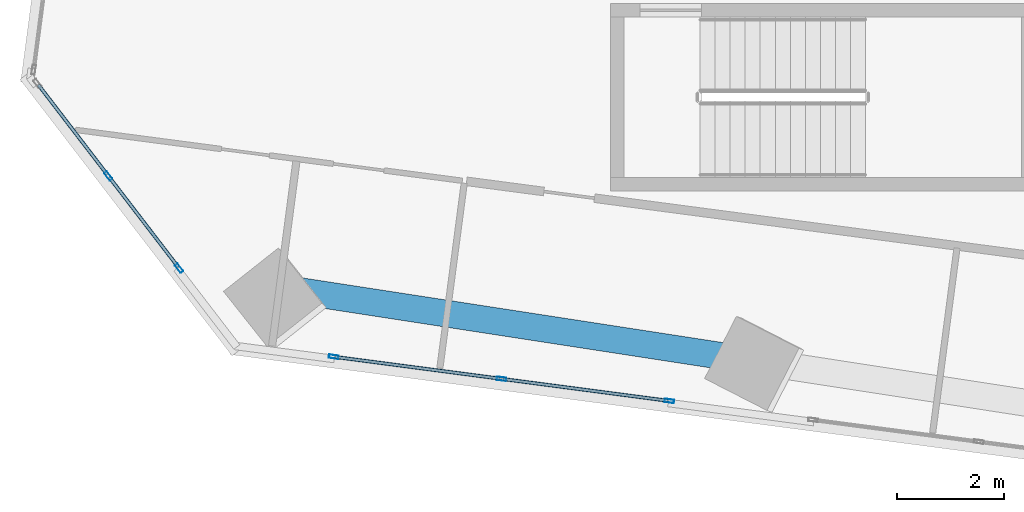
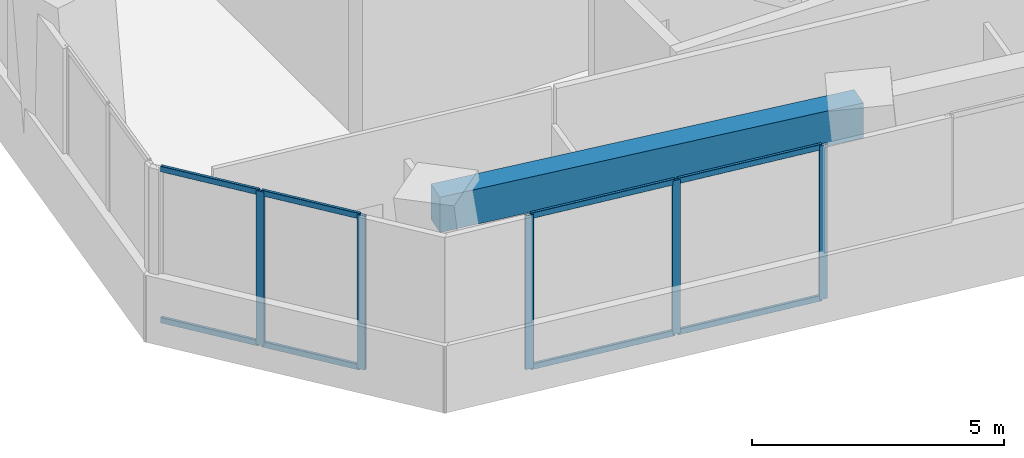
# One storey, part 2 of 24: 13 members, 1 beam, 2 elements without a shape of their own.
"""IFC4 building model written with IfcOpenShell, lengths in metres."""

from ifc_helpers import new_model, si_unit, direction, frame, origin, origin_2d, place, context, subcontext, project, spatial, rectangle, hollow_rectangle, extrude, source, transform, mapped, material, material_profile, profile_set, type_object, element, aggregate, save


model = new_model("IFC4")

# Units and contexts
model_context = context("Model", 3, precision=1e-05, world=origin(), true_north=direction((0.0, 1.0)))
body_context = subcontext(model_context, "Body", "Model", "MODEL_VIEW")
ifc_project = project(units=[si_unit("LENGTHUNIT", "METRE"), si_unit("AREAUNIT", "SQUARE_METRE"), si_unit("VOLUMEUNIT", "CUBIC_METRE"), si_unit("PLANEANGLEUNIT", "RADIAN"), si_unit("MASSUNIT", "GRAM", prefix="KILO")], contexts=[model_context])

# Site, building, storey
site_placement = place(None, origin())
site = spatial("IfcSite", under=ifc_project, at=site_placement, CompositionType="ELEMENT")
building_placement = place(site_placement, origin())
building = spatial("IfcBuilding", under=site, at=building_placement, Name="Torre Montelarca", CompositionType="ELEMENT")
storey_placement = place(building_placement, frame((0.0, 0.0, 66.39990234375)))
storey = spatial("IfcBuildingStorey", under=building, at=storey_placement, Name="L14", CompositionType="ELEMENT", Elevation=66.39990234375)

# Beam
ifc_material_1 = material(Name="Concrete C55/67", Category="concrete")
ifc_material_profile_1 = material_profile(ifc_material_1, rectangle(XDim=0.5, YDim=0.85009765625, at=origin_2d()), Name="RCB500X850", Category="concrete")
ifc_profile_set_1 = profile_set([ifc_material_profile_1], Name="Concrete C55/67")
beam_type = type_object("IfcBeamType", Name="BM-SP-RC850-EXT", PredefinedType="SPANDREL", material=ifc_profile_set_1)
shared_shape_1 = source(origin(), body_context, "Body", "SweptSolid", [
    extrude(rectangle(XDim=0.5, YDim=0.85009765625, at=origin_2d()), origin(), (0.0, 0.0, 1.0), 9.0),
])
beam_placement = place(storey_placement, frame((6.529052734375, 16.901611328125, 3.53515625), z_axis=(0.988365111025, -0.152099991149, 0.0), x_axis=(0.152099991149, 0.988365111025, 0.0)))
element("IfcBeam", 1, at=beam_placement, inside=storey, type_object=beam_type, Name="L14 Grid Girder X 9.0-18.0 at Y=14.8", PredefinedType="SPANDREL", context=body_context, shape_type="MappedRepresentation", body=[
    mapped(shared_shape_1, transform((0.0, 0.0, 0.0), scale=1.0)),
])

# Curtain wall, members
ifc_material_2 = material(Name="Insulated low-E laminated glass", Category="glass")
curtain_wall_type = type_object("IfcCurtainWallType", Name="CW-SYS-Z1", PredefinedType="USERDEFINED", material=ifc_material_2)
curtain_wall_1_placement = place(storey_placement, origin())
curtain_wall_1 = element("IfcCurtainWall", 2, at=curtain_wall_1_placement, inside=storey, type_object=curtain_wall_type, Name="L14 Curtain Wall Run CW-T3-L14-E01-B1", ObjectType="UNITISED GLAZING", PredefinedType="USERDEFINED")
ifc_material_3 = material(Name="Anodised aluminium AA 6063-T6", Category="aluminium")
ifc_material_profile_2 = material_profile(ifc_material_3, hollow_rectangle(XDim=0.06494140625, YDim=0.139892578125, WallThickness=0.00390625, InnerFilletRadius=0.00390625, OuterFilletRadius=0.008056640625, at=origin_2d()), Name="ALU65X140X4", Category="aluminium")
ifc_profile_set_2 = profile_set([ifc_material_profile_2], Name="Anodised aluminium AA 6063-T6")
member_type_1 = type_object("IfcMemberType", Name="CWT-ALU140", PredefinedType="USERDEFINED", material=ifc_profile_set_2)
shared_shape_2 = source(origin(), body_context, "Body", "SweptSolid", [
    extrude(hollow_rectangle(XDim=0.06494140625, YDim=0.139892578125, WallThickness=0.00390625, InnerFilletRadius=0.00390625, OuterFilletRadius=0.008056640625, at=origin_2d()), origin(), (0.0, 0.0, 1.0), 3.085205078125),
])
member_1_placement = place(storey_placement, frame((7.93310546875, 15.56005859375, 0.03271484375), z_axis=(0.991449716135, -0.13048931135, 0.0), x_axis=(0.13048931135, 0.991449716135, 0.0)))
member_1 = element("IfcMember", 3, at=member_1_placement, type_object=member_type_1, Name="CW transom 1.1", ObjectType="TRANSOM", PredefinedType="USERDEFINED", context=body_context, shape_type="MappedRepresentation", body=[
    mapped(shared_shape_2, transform((0.0, 0.0, 0.0), scale=1.0)),
])
member_2_placement = place(storey_placement, frame((7.93310546875, 15.56005859375, 3.6875), z_axis=(0.991449716135, -0.13048931135, 0.0), x_axis=(0.13048931135, 0.991449716135, 0.0)))
member_2 = element("IfcMember", 4, at=member_2_placement, type_object=member_type_1, Name="CW transom 1.2", ObjectType="TRANSOM", PredefinedType="USERDEFINED", context=body_context, shape_type="MappedRepresentation", body=[
    mapped(shared_shape_2, transform((0.0, 0.0, 0.0), scale=1.0)),
])
member_3_placement = place(storey_placement, frame((11.056396484375, 15.14892578125, 0.03271484375), z_axis=(0.991449716135, -0.13048931135, 0.0), x_axis=(0.13048931135, 0.991449716135, 0.0)))
member_3 = element("IfcMember", 5, at=member_3_placement, type_object=member_type_1, Name="CW transom 2.1", ObjectType="TRANSOM", PredefinedType="USERDEFINED", context=body_context, shape_type="MappedRepresentation", body=[
    mapped(shared_shape_2, transform((0.0, 0.0, 0.0), scale=1.0)),
])
member_4_placement = place(storey_placement, frame((11.056396484375, 15.14892578125, 3.6875), z_axis=(0.991449716135, -0.13048931135, 0.0), x_axis=(0.13048931135, 0.991449716135, 0.0)))
member_4 = element("IfcMember", 6, at=member_4_placement, type_object=member_type_1, Name="CW transom 2.2", ObjectType="TRANSOM", PredefinedType="USERDEFINED", context=body_context, shape_type="MappedRepresentation", body=[
    mapped(shared_shape_2, transform((0.0, 0.0, 0.0), scale=1.0)),
])

curtain_wall_2_placement = place(storey_placement, origin())
curtain_wall_2 = element("IfcCurtainWall", 7, at=curtain_wall_2_placement, inside=storey, type_object=curtain_wall_type, Name="L14 Curtain Wall Run CW-T3-L14-E11-B1", ObjectType="UNITISED GLAZING", PredefinedType="USERDEFINED")
shared_shape_3 = source(origin(), body_context, "Body", "SweptSolid", [
    extrude(hollow_rectangle(XDim=0.06494140625, YDim=0.139892578125, WallThickness=0.00390625, InnerFilletRadius=0.00390625, OuterFilletRadius=0.008056640625, at=origin_2d()), origin(), (0.0, 0.0, 1.0), 2.10107421875),
])
member_5_placement = place(storey_placement, frame((2.406982421875, 20.62353515625, 0.03271484375), z_axis=(0.60873885438, -0.793370661903, 0.0), x_axis=(0.793370661903, 0.60873885438, 0.0)))
member_5 = element("IfcMember", 8, at=member_5_placement, type_object=member_type_1, Name="CW transom 1.1", ObjectType="TRANSOM", PredefinedType="USERDEFINED", context=body_context, shape_type="MappedRepresentation", body=[
    mapped(shared_shape_3, transform((0.0, 0.0, 0.0), scale=1.0)),
])
member_6_placement = place(storey_placement, frame((2.406982421875, 20.62353515625, 3.6875), z_axis=(0.60873885438, -0.793370661903, 0.0), x_axis=(0.793370661903, 0.60873885438, 0.0)))
member_6 = element("IfcMember", 9, at=member_6_placement, type_object=member_type_1, Name="CW transom 1.2", ObjectType="TRANSOM", PredefinedType="USERDEFINED", context=body_context, shape_type="MappedRepresentation", body=[
    mapped(shared_shape_3, transform((0.0, 0.0, 0.0), scale=1.0)),
])
member_7_placement = place(storey_placement, frame((3.7255859375, 18.905029296875, 0.03271484375), z_axis=(0.608794974428, -0.793327598859, 0.0), x_axis=(0.793327598859, 0.608794974428, 0.0)))
member_7 = element("IfcMember", 10, at=member_7_placement, type_object=member_type_1, Name="CW transom 2.1", ObjectType="TRANSOM", PredefinedType="USERDEFINED", context=body_context, shape_type="MappedRepresentation", body=[
    mapped(shared_shape_3, transform((0.0, 0.0, 0.0), scale=1.0)),
])
member_8_placement = place(storey_placement, frame((3.7255859375, 18.905029296875, 3.6875), z_axis=(0.608794974428, -0.793327598859, 0.0), x_axis=(0.793327598859, 0.608794974428, 0.0)))
member_8 = element("IfcMember", 11, at=member_8_placement, type_object=member_type_1, Name="CW transom 2.2", ObjectType="TRANSOM", PredefinedType="USERDEFINED", context=body_context, shape_type="MappedRepresentation", body=[
    mapped(shared_shape_3, transform((0.0, 0.0, 0.0), scale=1.0)),
])

# Member
ifc_material_profile_3 = material_profile(ifc_material_3, hollow_rectangle(XDim=0.06494140625, YDim=0.179931640625, WallThickness=0.00390625, InnerFilletRadius=0.00390625, OuterFilletRadius=0.008056640625, at=origin_2d()), Name="ALU65X180X4", Category="aluminium")
ifc_profile_set_3 = profile_set([ifc_material_profile_3], Name="Anodised aluminium AA 6063-T6")
member_type_2 = type_object("IfcMemberType", Name="CWM-ALU180", PredefinedType="MULLION", material=ifc_profile_set_3)
shared_shape_4 = source(origin(), body_context, "Body", "SweptSolid", [
    extrude(hollow_rectangle(XDim=0.06494140625, YDim=0.179931640625, WallThickness=0.00390625, InnerFilletRadius=0.00390625, OuterFilletRadius=0.008056640625, at=origin_2d()), origin(), (0.0, 0.0, 1.0), 3.72021484375),
])
member_9_placement = place(storey_placement, frame((7.90087890625, 15.564453125, 0.0), z_axis=(0.0, 0.0, 1.0), x_axis=(0.130515062051, 0.991446326625, 0.0)))
member_9 = element("IfcMember", 12, at=member_9_placement, type_object=member_type_2, Name="CW mullion 1", PredefinedType="MULLION", context=body_context, shape_type="MappedRepresentation", body=[
    mapped(shared_shape_4, transform((0.0, 0.0, 0.0), scale=1.0)),
])

member_10_placement = place(storey_placement, frame((11.024169921875, 15.1533203125, 0.0), z_axis=(0.0, 0.0, 1.0), x_axis=(0.130515062051, 0.991446326625, 0.0)))
member_10 = element("IfcMember", 13, at=member_10_placement, type_object=member_type_2, Name="CW mullion 2", PredefinedType="MULLION", context=body_context, shape_type="MappedRepresentation", body=[
    mapped(shared_shape_4, transform((0.0, 0.0, 0.0), scale=1.0)),
])

member_11_placement = place(storey_placement, frame((14.1474609375, 14.741943359375, 0.0), z_axis=(0.0, 0.0, 1.0), x_axis=(0.130515062051, 0.991446326625, 0.0)))
member_11 = element("IfcMember", 14, at=member_11_placement, type_object=member_type_2, Name="CW mullion 3", PredefinedType="MULLION", context=body_context, shape_type="MappedRepresentation", body=[
    mapped(shared_shape_4, transform((0.0, 0.0, 0.0), scale=1.0)),
])

aggregate(curtain_wall_1, [member_9, member_10, member_11, member_1, member_2, member_3, member_4])

member_12_placement = place(storey_placement, frame((3.705810546875, 18.930908203125, 0.0), z_axis=(0.0, 0.0, 1.0), x_axis=(0.7933555587, 0.608758537912, 0.0)))
member_12 = element("IfcMember", 15, at=member_12_placement, type_object=member_type_2, Name="CW mullion 2", PredefinedType="MULLION", context=body_context, shape_type="MappedRepresentation", body=[
    mapped(shared_shape_4, transform((0.0, 0.0, 0.0), scale=1.0)),
])

member_13_placement = place(storey_placement, frame((5.0244140625, 17.21240234375, 0.0), z_axis=(0.0, 0.0, 1.0), x_axis=(0.7933555587, 0.608758537912, 0.0)))
member_13 = element("IfcMember", 16, at=member_13_placement, type_object=member_type_2, Name="CW mullion 3", PredefinedType="MULLION", context=body_context, shape_type="MappedRepresentation", body=[
    mapped(shared_shape_4, transform((0.0, 0.0, 0.0), scale=1.0)),
])

aggregate(curtain_wall_2, [member_12, member_13, member_5, member_6, member_7, member_8])

save(model, "model.ifc")
